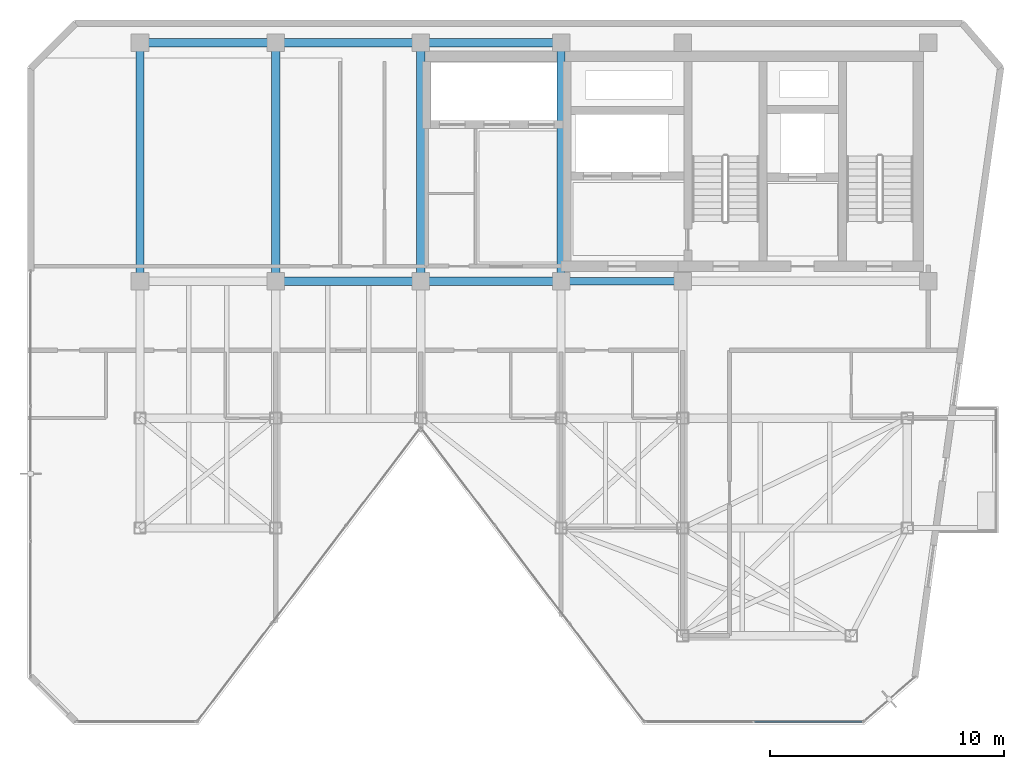
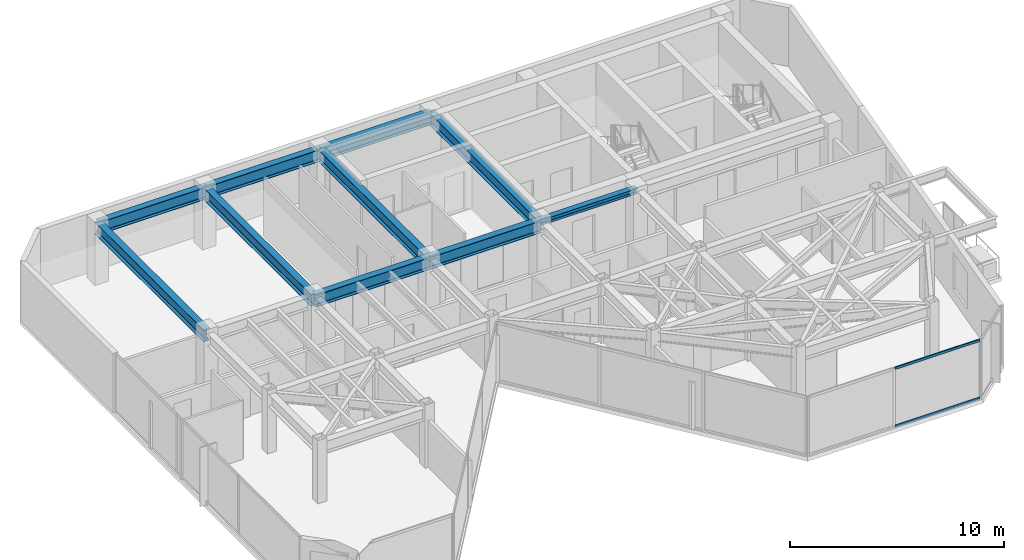
# One storey, part 12 of 19: 10 beams, 2 members, 1 element without a shape of its own.
"""IFC4 building model written with IfcOpenShell, lengths in metres."""

from ifc_helpers import new_model, si_unit, direction, frame, origin, origin_2d, place, context, subcontext, project, spatial, hollow_rectangle, i_section, extrude, material, layer, layer_set, material_profile, profile_set, type_object, element, aggregate, save


model = new_model("IFC4")

# Units and contexts
model_context = context("Model", 3, precision=1e-05, world=origin(), true_north=direction((0.0, 1.0)))
body_context = subcontext(model_context, "Body", "Model", "MODEL_VIEW")
ifc_project = project(units=[si_unit("LENGTHUNIT", "METRE"), si_unit("AREAUNIT", "SQUARE_METRE"), si_unit("VOLUMEUNIT", "CUBIC_METRE"), si_unit("PLANEANGLEUNIT", "RADIAN"), si_unit("MASSUNIT", "GRAM", prefix="KILO")], contexts=[model_context])

# Site, building, storey
site_placement = place(None, origin())
site = spatial("IfcSite", under=ifc_project, at=site_placement, CompositionType="ELEMENT")
building_placement = place(site_placement, origin())
building = spatial("IfcBuilding", under=site, at=building_placement, Name="Kravanh Interchange Tower", CompositionType="ELEMENT")
storey_placement = place(building_placement, frame((0.0, 0.0, 267.0)))
storey = spatial("IfcBuildingStorey", under=building, at=storey_placement, Name="L65", CompositionType="ELEMENT", Elevation=267.0)

# Curtain wall, members
ifc_material_1 = material(Name="Anodised Bronze Aluminium", Category="aluminium")
ifc_layer = layer(ifc_material_1, 0.179931640625)
ifc_layer_set = layer_set([ifc_layer], Name="Unitised Curtain Wall System CW-HTL Luxury Hotel")
curtain_wall_type = type_object("IfcCurtainWallType", Name="Unitised Curtain Wall System CW-HTL Luxury Hotel", PredefinedType="NOTDEFINED", material=ifc_layer_set)
curtain_wall_placement = place(storey_placement, origin())
curtain_wall = element("IfcCurtainWall", 1, at=curtain_wall_placement, inside=storey, type_object=curtain_wall_type, Name="L65 Unitised Curtain Wall CW-L65-03", PredefinedType="NOTDEFINED")
ifc_material_2 = material(Name="Anodised Bronze Aluminium", Category="aluminium")
ifc_material_profile_1 = material_profile(ifc_material_2, hollow_rectangle(XDim=0.06005859375, YDim=0.139892578125, WallThickness=0.00390625, at=origin_2d()), Name="ALU60X140X4")
ifc_profile_set_1 = profile_set([ifc_material_profile_1], Name="Anodised Bronze Aluminium")
member_type = type_object("IfcMemberType", Name="Curtain Wall Transom ALU60X140X4 Bronze", PredefinedType="USERDEFINED", material=ifc_profile_set_1)
member_1_placement = place(storey_placement, frame((63.664794921875, 18.52001953125, 0.030029296875), z_axis=(-1.0, 0.0, 0.0), x_axis=(0.0, -1.0, 0.0)))
member_1 = element("IfcMember", 2, at=member_1_placement, type_object=member_type, Name="CW-HTL transom 1.1", ObjectType="TRANSOM", PredefinedType="USERDEFINED", context=body_context, shape_type="SweptSolid", body=[
    extrude(hollow_rectangle(XDim=0.06005859375, YDim=0.139892578125, WallThickness=0.00390625, at=origin_2d()), origin(), (0.0, 0.0, 1.0), 4.592529296875),
])
member_2_placement = place(storey_placement, frame((63.664794921875, 18.52001953125, 3.330078125), z_axis=(-1.0, 0.0, 0.0), x_axis=(0.0, -1.0, 0.0)))
member_2 = element("IfcMember", 3, at=member_2_placement, type_object=member_type, Name="CW-HTL transom 1.2", ObjectType="TRANSOM", PredefinedType="USERDEFINED", context=body_context, shape_type="SweptSolid", body=[
    extrude(hollow_rectangle(XDim=0.06005859375, YDim=0.139892578125, WallThickness=0.00390625, at=origin_2d()), origin(), (0.0, 0.0, 1.0), 4.592529296875),
])
aggregate(curtain_wall, [member_1, member_2])

# Beams
ifc_material_3 = material(Name="Structural Steel S355", Category="steel")
ifc_material_profile_2 = material_profile(ifc_material_3, i_section(OverallWidth=0.35498046875, OverallDepth=0.696044921875, WebThickness=0.015380859375, FlangeThickness=0.02490234375, FilletRadius=0.02392578125, at=origin_2d()), Name="W27X146")
ifc_profile_set_2 = profile_set([ifc_material_profile_2], Name="Structural Steel S355")
beam_type_1 = type_object("IfcBeamType", Name="Floor Beam W27X146 Structural Steel S355", PredefinedType="BEAM", material=ifc_profile_set_2)
beam_1_placement = place(storey_placement, frame((50.800048828125, 47.550048828125, 3.011962890625), z_axis=(-1.0, 0.0, 0.0), x_axis=(0.0, -1.0, 0.0)))
element("IfcBeam", 4, at=beam_1_placement, inside=storey, type_object=beam_type_1, Name="L65 Primary Floor Girder 40", PredefinedType="BEAM", context=body_context, shape_type="SweptSolid", body=[
    extrude(i_section(OverallWidth=0.35498046875, OverallDepth=0.696044921875, WebThickness=0.015380859375, FlangeThickness=0.02490234375, FilletRadius=0.02392578125, at=origin_2d()), origin(), (0.0, 0.0, 1.0), 6.0),
])
beam_2_placement = place(storey_placement, frame((50.800048828125, 47.550048828125, 3.011962890625), z_axis=(0.0, -1.0, 0.0), x_axis=(1.0, 0.0, 0.0)))
element("IfcBeam", 5, at=beam_2_placement, inside=storey, type_object=beam_type_1, Name="L65 Primary Floor Girder 41", PredefinedType="BEAM", context=body_context, shape_type="SweptSolid", body=[
    extrude(i_section(OverallWidth=0.35498046875, OverallDepth=0.696044921875, WebThickness=0.015380859375, FlangeThickness=0.02490234375, FilletRadius=0.02392578125, at=origin_2d()), origin(), (0.0, 0.0, 1.0), 10.199951171875),
])
beam_3_placement = place(storey_placement, frame((50.800048828125, 37.35009765625, 3.011962890625), z_axis=(-1.0, 0.0, 0.0), x_axis=(0.0, -1.0, 0.0)))
element("IfcBeam", 6, at=beam_3_placement, inside=storey, type_object=beam_type_1, Name="L65 Primary Floor Girder 42", PredefinedType="BEAM", context=body_context, shape_type="SweptSolid", body=[
    extrude(i_section(OverallWidth=0.35498046875, OverallDepth=0.696044921875, WebThickness=0.015380859375, FlangeThickness=0.02490234375, FilletRadius=0.02392578125, at=origin_2d()), origin(), (0.0, 0.0, 1.0), 6.0),
])
beam_4_placement = place(storey_placement, frame((44.800048828125, 37.35009765625, 3.011962890625), z_axis=(-1.0, 0.0, 0.0), x_axis=(0.0, -1.0, 0.0)))
element("IfcBeam", 7, at=beam_4_placement, inside=storey, type_object=beam_type_1, Name="L65 Primary Floor Girder 43", PredefinedType="BEAM", context=body_context, shape_type="SweptSolid", body=[
    extrude(i_section(OverallWidth=0.35498046875, OverallDepth=0.696044921875, WebThickness=0.015380859375, FlangeThickness=0.02490234375, FilletRadius=0.02392578125, at=origin_2d()), origin(), (0.0, 0.0, 1.0), 6.199951171875),
])
beam_5_placement = place(storey_placement, frame((44.800048828125, 37.35009765625, 3.011962890625), z_axis=(0.0, 1.0, 0.0), x_axis=(-1.0, 0.0, 0.0)))
element("IfcBeam", 8, at=beam_5_placement, inside=storey, type_object=beam_type_1, Name="L65 Primary Floor Girder 44", PredefinedType="BEAM", context=body_context, shape_type="SweptSolid", body=[
    extrude(i_section(OverallWidth=0.35498046875, OverallDepth=0.696044921875, WebThickness=0.015380859375, FlangeThickness=0.02490234375, FilletRadius=0.02392578125, at=origin_2d()), origin(), (0.0, 0.0, 1.0), 10.199951171875),
])
beam_6_placement = place(storey_placement, frame((44.800048828125, 47.550048828125, 3.011962890625), z_axis=(-1.0, 0.0, 0.0), x_axis=(0.0, -1.0, 0.0)))
element("IfcBeam", 9, at=beam_6_placement, inside=storey, type_object=beam_type_1, Name="L65 Primary Floor Girder 45", PredefinedType="BEAM", context=body_context, shape_type="SweptSolid", body=[
    extrude(i_section(OverallWidth=0.35498046875, OverallDepth=0.696044921875, WebThickness=0.015380859375, FlangeThickness=0.02490234375, FilletRadius=0.02392578125, at=origin_2d()), origin(), (0.0, 0.0, 1.0), 6.199951171875),
])
beam_7_placement = place(storey_placement, frame((38.60009765625, 37.35009765625, 3.011962890625), z_axis=(0.0, 1.0, 0.0), x_axis=(-1.0, 0.0, 0.0)))
element("IfcBeam", 10, at=beam_7_placement, inside=storey, type_object=beam_type_1, Name="L65 Primary Floor Girder 47", PredefinedType="BEAM", context=body_context, shape_type="SweptSolid", body=[
    extrude(i_section(OverallWidth=0.35498046875, OverallDepth=0.696044921875, WebThickness=0.015380859375, FlangeThickness=0.02490234375, FilletRadius=0.02392578125, at=origin_2d()), origin(), (0.0, 0.0, 1.0), 10.199951171875),
])
beam_8_placement = place(storey_placement, frame((38.60009765625, 47.550048828125, 3.011962890625), z_axis=(-1.0, 0.0, 0.0), x_axis=(0.0, -1.0, 0.0)))
element("IfcBeam", 11, at=beam_8_placement, inside=storey, type_object=beam_type_1, Name="L65 Primary Floor Girder 48", PredefinedType="BEAM", context=body_context, shape_type="SweptSolid", body=[
    extrude(i_section(OverallWidth=0.35498046875, OverallDepth=0.696044921875, WebThickness=0.015380859375, FlangeThickness=0.02490234375, FilletRadius=0.02392578125, at=origin_2d()), origin(), (0.0, 0.0, 1.0), 5.800048828125),
])
beam_9_placement = place(storey_placement, frame((32.800048828125, 37.35009765625, 3.011962890625), z_axis=(0.0, 1.0, 0.0), x_axis=(-1.0, 0.0, 0.0)))
element("IfcBeam", 12, at=beam_9_placement, inside=storey, type_object=beam_type_1, Name="L65 Primary Floor Girder 49", PredefinedType="BEAM", context=body_context, shape_type="SweptSolid", body=[
    extrude(i_section(OverallWidth=0.35498046875, OverallDepth=0.696044921875, WebThickness=0.015380859375, FlangeThickness=0.02490234375, FilletRadius=0.02392578125, at=origin_2d()), origin(), (0.0, 0.0, 1.0), 10.199951171875),
])
ifc_material_4 = material(Name="Structural Steel S355", Category="steel")
ifc_material_profile_3 = material_profile(ifc_material_4, i_section(OverallWidth=0.304931640625, OverallDepth=0.306884765625, WebThickness=0.010009765625, FlangeThickness=0.015380859375, FilletRadius=0.014892578125, at=origin_2d()), Name="W12X65")
ifc_profile_set_3 = profile_set([ifc_material_profile_3], Name="Structural Steel S355")
beam_type_2 = type_object("IfcBeamType", Name="Floor Lintel W12X65 Structural Steel S355", PredefinedType="LINTEL", material=ifc_profile_set_3)
beam_10_placement = place(storey_placement, frame((50.800048828125, 37.35009765625, 3.20654296875), z_axis=(1.0, 0.0, 0.0), x_axis=(0.0, 1.0, 0.0)))
element("IfcBeam", 13, at=beam_10_placement, inside=storey, type_object=beam_type_2, Name="L65 Core Coupling Lintel 1", PredefinedType="LINTEL", context=body_context, shape_type="SweptSolid", body=[
    extrude(i_section(OverallWidth=0.304931640625, OverallDepth=0.306884765625, WebThickness=0.010009765625, FlangeThickness=0.015380859375, FilletRadius=0.014892578125, at=origin_2d()), origin(), (0.0, 0.0, 1.0), 5.199951171875),
])

save(model, "model.ifc")
